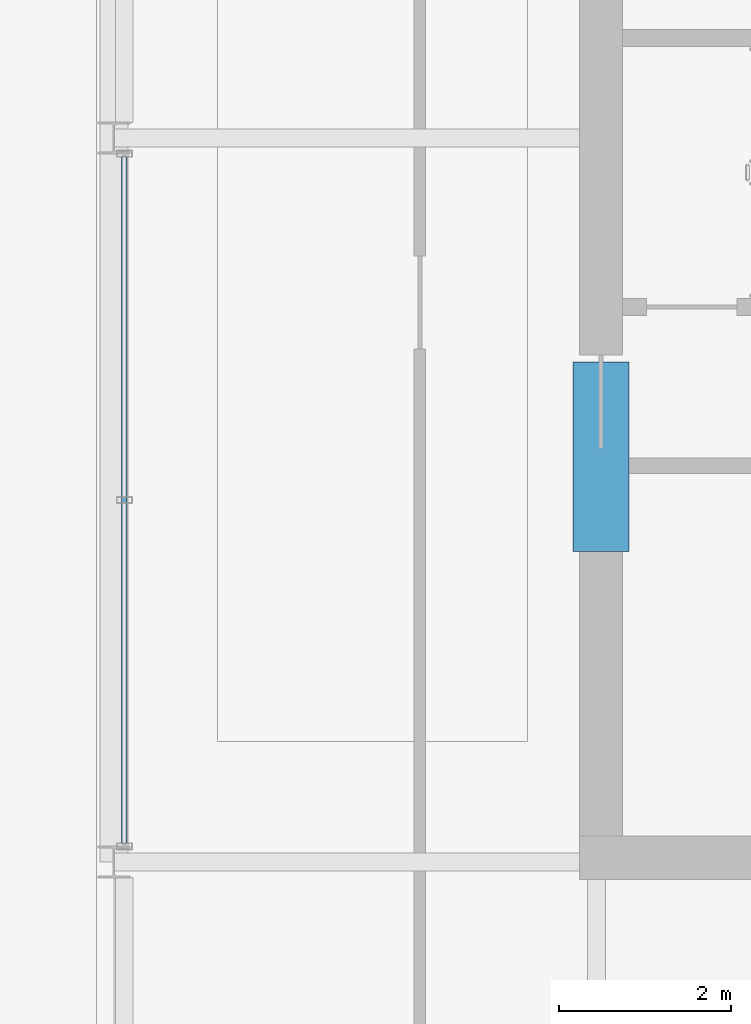
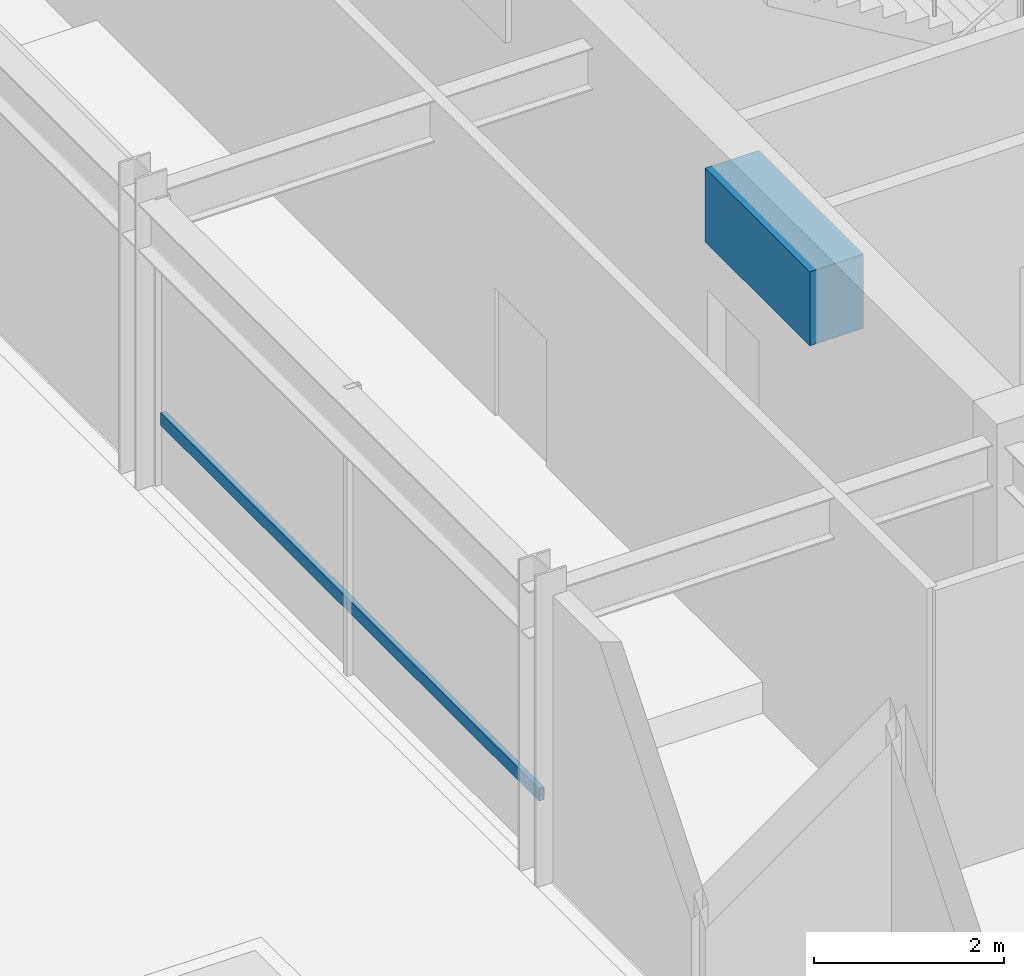
# One storey, part 3 of 17: 1 beam, 1 member, 1 element without a shape of its own.
"""IFC4 building model written with IfcOpenShell, lengths in metres."""

from ifc_helpers import new_model, si_unit, direction, frame, origin, origin_2d, place, context, subcontext, project, spatial, rectangle, hollow_rectangle, extrude, material, layer, layer_set, material_profile, profile_set, type_object, element, aggregate, save


model = new_model("IFC4")

# Units and contexts
model_context = context("Model", 3, precision=1e-05, world=origin(), true_north=direction((0.0, 1.0)))
body_context = subcontext(model_context, "Body", "Model", "MODEL_VIEW")
ifc_project = project(units=[si_unit("LENGTHUNIT", "METRE"), si_unit("AREAUNIT", "SQUARE_METRE"), si_unit("VOLUMEUNIT", "CUBIC_METRE"), si_unit("PLANEANGLEUNIT", "RADIAN"), si_unit("MASSUNIT", "GRAM", prefix="KILO")], contexts=[model_context])

# Site, building, storey
site_placement = place(None, origin())
site = spatial("IfcSite", under=ifc_project, at=site_placement, CompositionType="ELEMENT")
building_placement = place(site_placement, origin())
building = spatial("IfcBuilding", under=site, at=building_placement, Name="Drelvath Grand Hotel", CompositionType="ELEMENT")
storey_placement = place(building_placement, frame((0.0, 0.0, 311.39990234375)))
storey = spatial("IfcBuildingStorey", under=building, at=storey_placement, Name="L81", CompositionType="ELEMENT", Elevation=311.39990234375)

# Beam
ifc_material_1 = material(Name="Concrete f'c 55 MPa", Category="concrete")
ifc_material_profile_1 = material_profile(ifc_material_1, rectangle(XDim=0.64990234375, YDim=0.949951171875, at=origin_2d()), Name="CB650X950")
ifc_profile_set_1 = profile_set([ifc_material_profile_1], Name="Concrete f'c 55 MPa")
beam_type = type_object("IfcBeamType", Name="Core Coupling Lintel CB650X950", PredefinedType="LINTEL", material=ifc_profile_set_1)
beam_placement = place(storey_placement, frame((-8.35009765625, 22.199951171875, 3.205078125), z_axis=(0.0, 1.0, 0.0), x_axis=(-1.0, 0.0, 0.0)))
element("IfcBeam", 1, at=beam_placement, inside=storey, type_object=beam_type, Name="L81 Core Coupling Lintel WS", PredefinedType="LINTEL", context=body_context, shape_type="SweptSolid", body=[
    extrude(rectangle(XDim=0.64990234375, YDim=0.949951171875, at=origin_2d()), origin(), (0.0, 0.0, 1.0), 2.199951171875),
])

# Curtain wall, member
ifc_material_2 = material(Name="Pale-Metal Anodised Aluminium Crown Frame", Category="aluminium")
ifc_layer = layer(ifc_material_2, 0.199951171875)
ifc_layer_set = layer_set([ifc_layer], Name="Pale-Metal Anodised Aluminium Crown Frame")
curtain_wall_type = type_object("IfcCurtainWallType", Name="Stick Curtain Wall CW-06 Pale-Metal Crown Clerestory", PredefinedType="NOTDEFINED", material=ifc_layer_set)
curtain_wall_placement = place(storey_placement, origin())
curtain_wall = element("IfcCurtainWall", 2, at=curtain_wall_placement, inside=storey, type_object=curtain_wall_type, Name="L81 CW-06 Curtain Wall CW06-L81-W", PredefinedType="NOTDEFINED")
ifc_material_profile_2 = material_profile(ifc_material_2, hollow_rectangle(XDim=0.06494140625, YDim=0.159912109375, WallThickness=0.00390625, at=origin_2d()), Name="HSS160X65X4")
ifc_profile_set_2 = profile_set([ifc_material_profile_2], Name="Pale-Metal Anodised Aluminium Crown Frame")
member_type = type_object("IfcMemberType", Name="Curtain Wall Horizontal Transom CW-06 HSS160X65X4", PredefinedType="USERDEFINED", material=ifc_profile_set_2)
member_placement = place(storey_placement, frame((-13.8798828125, 18.822265625, 0.85009765625), z_axis=(0.0, 1.0, 0.0), x_axis=(-1.0, 0.0, 0.0)))
member = element("IfcMember", 3, at=member_placement, type_object=member_type, Name="CW06-L81-W Sill Transom", ObjectType="TRANSOM", PredefinedType="USERDEFINED", context=body_context, shape_type="SweptSolid", body=[
    extrude(hollow_rectangle(XDim=0.06494140625, YDim=0.159912109375, WallThickness=0.00390625, at=origin_2d()), origin(), (0.0, 0.0, 1.0), 7.95556640625),
])
aggregate(curtain_wall, [member])

save(model, "model.ifc")
